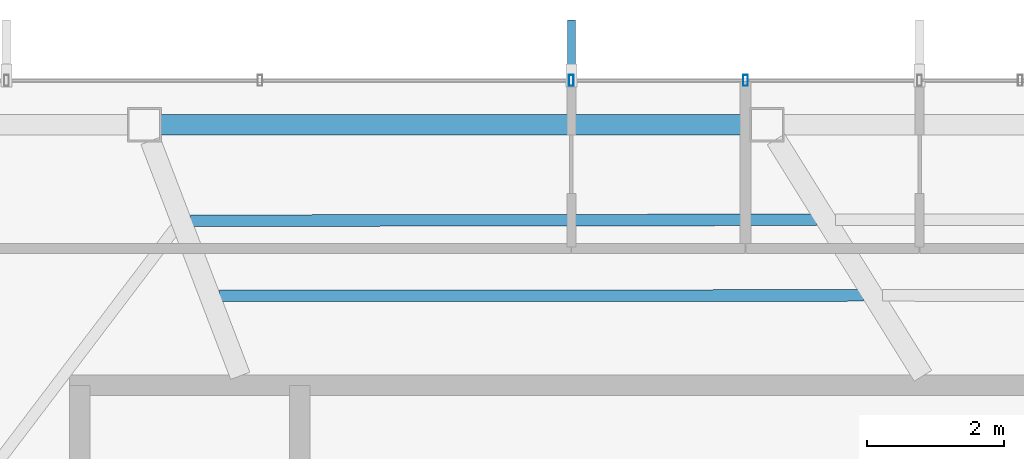
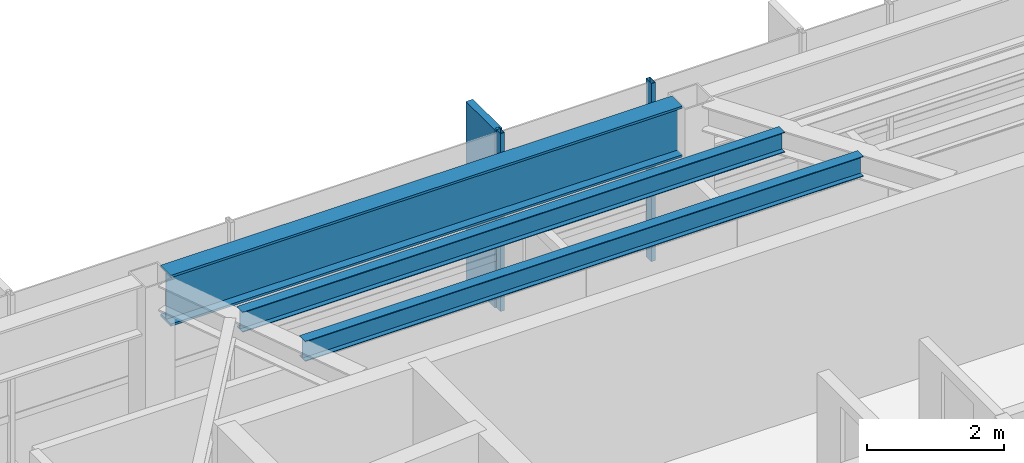
# One storey, part 12 of 25: 3 beams, 3 members, 1 element without a shape of its own.
"""IFC4 building model written with IfcOpenShell, lengths in metres."""

import ifcopenshell
import ifcopenshell.guid

model = None  # the IFC model being written
_history = None  # IfcOwnerHistory: only IFC2X3 demands one
_inside = {}  # id of a spatial element -> (the spatial element, [elements in it])
_under = {}  # id of a project, library or spatial element -> (it, [spatial elements below it])
_declared = {}  # id of a project -> (the project, [libraries it declares])
_typed = {}  # id of a type object -> (the type object, [elements of that type])
_made_of = {}  # id of a material, layer set ... -> (it, [elements and type objects made of it])


def new_model(schema):
    """Start an empty IFC model of exactly this schema.

    Asked for "IFC4X3", IfcOpenShell would pick the latest addendum, in which some entities
    have other attributes; the version numbers below select the first issue.
    IFC2X3 requires an IfcOwnerHistory on every rooted entity: one is made here for all.
    """
    global model, _history
    if schema == "IFC4X3":
        model = ifcopenshell.file(schema_version=(4, 3, 0, 0))
    else:
        model = ifcopenshell.file(schema=schema)
    _inside.clear()
    _under.clear()
    _declared.clear()
    _typed.clear()
    _made_of.clear()
    _history = None
    if model.schema == "IFC2X3":
        org = make("IfcOrganization", Name="unknown")
        user = make(
            "IfcPersonAndOrganization",
            ThePerson=make("IfcPerson", FamilyName="unknown"),
            TheOrganization=org,
        )
        app = make(
            "IfcApplication",
            ApplicationDeveloper=org,
            Version="unknown",
            ApplicationFullName="unknown",
            ApplicationIdentifier="unknown",
        )
        _history = make(
            "IfcOwnerHistory",
            OwningUser=user,
            OwningApplication=app,
            ChangeAction="ADDED",
            CreationDate=0,
        )
    return model


def make(cls, **values):
    """One entity of the class cls with the attributes given. An attribute that is None is left unset."""
    return model.create_entity(
        cls, **{name: value for name, value in values.items() if value is not None}
    )


def rooted(cls, **values):
    """An entity with a GlobalId (a new one), such as an element, a storey or a relation."""
    return make(cls, GlobalId=ifcopenshell.guid.new(), OwnerHistory=_history, **values)


def si_unit(unit_type, name, prefix=None):
    """IfcSIUnit, for example si_unit("LENGTHUNIT", "METRE", prefix="MILLI")."""
    return make("IfcSIUnit", UnitType=unit_type, Prefix=prefix, Name=name)


def assignment(units):
    """IfcUnitAssignment: the units of a project."""
    return None if units is None else make("IfcUnitAssignment", Units=units)


def point(xyz):
    """IfcCartesianPoint."""
    return None if xyz is None else make("IfcCartesianPoint", Coordinates=xyz)


def direction(xyz):
    """IfcDirection."""
    return None if xyz is None else make("IfcDirection", DirectionRatios=xyz)


def frame(location, z_axis=None, x_axis=None):
    """IfcAxis2Placement3D, a coordinate frame: its origin and axes. An axis left out is left unset."""
    return make(
        "IfcAxis2Placement3D",
        Location=point(location),
        Axis=direction(z_axis),
        RefDirection=direction(x_axis),
    )


def frame_2d(location, x_axis=None):
    """IfcAxis2Placement2D, a coordinate frame in the plane: its origin and x axis."""
    return make(
        "IfcAxis2Placement2D", Location=point(location), RefDirection=direction(x_axis)
    )


def origin():
    """The frame at (0, 0, 0) with its axes left unset."""
    return frame((0.0, 0.0, 0.0))


def origin_2d():
    """The frame at (0, 0) in the plane with its x axis left unset."""
    return frame_2d((0.0, 0.0))


def place(relative_to, where):
    """IfcLocalPlacement: puts the frame where relative to a parent placement (None: the world)."""
    return make(
        "IfcLocalPlacement", PlacementRelTo=relative_to, RelativePlacement=where
    )


def context(
    kind, dimensions, precision=None, world=None, true_north=None, identifier=None
):
    """IfcGeometricRepresentationContext, for example the 3D "Model" context."""
    return make(
        "IfcGeometricRepresentationContext",
        ContextIdentifier=identifier,
        ContextType=kind,
        CoordinateSpaceDimension=dimensions,
        Precision=precision,
        WorldCoordinateSystem=world,
        TrueNorth=true_north,
    )


def subcontext(parent, identifier, kind, view, scale=None):
    """IfcGeometricRepresentationSubContext, for example "Body" below "Model"."""
    return make(
        "IfcGeometricRepresentationSubContext",
        ContextIdentifier=identifier,
        ContextType=kind,
        ParentContext=parent,
        TargetScale=scale,
        TargetView=view,
    )


def project(units=None, contexts=None):
    """IfcProject with its units and contexts."""
    return rooted(
        "IfcProject",
        Name="project",
        RepresentationContexts=contexts,
        UnitsInContext=assignment(units),
    )


def spatial(cls, under=None, at=None, **own):
    """A site, building, storey or space (cls), placed at a placement, below another one or the project."""
    s = rooted(cls, ObjectPlacement=at, **own)
    if under is not None:
        _under.setdefault(under.id(), (under, []))[1].append(s)
    return s


def profile(cls, at=None, kind="AREA", **sizes):
    """A parametric profile (cls). Its sizes go by their IFC names, for example OverallWidth=200.0."""
    return make(cls, ProfileType=kind, Position=at, **sizes)


def rectangle(**sizes):
    """IfcRectangleProfileDef."""
    return profile("IfcRectangleProfileDef", **sizes)


def hollow_rectangle(**sizes):
    """IfcRectangleHollowProfileDef."""
    return profile("IfcRectangleHollowProfileDef", **sizes)


def i_section(**sizes):
    """IfcIShapeProfileDef."""
    return profile("IfcIShapeProfileDef", **sizes)


def extrude(swept, where, along, depth):
    """IfcExtrudedAreaSolid: the profile swept, set in the frame where, extruded along a direction by depth."""
    return make(
        "IfcExtrudedAreaSolid",
        SweptArea=swept,
        Position=where,
        ExtrudedDirection=direction(along),
        Depth=depth,
    )


def shape(context_of_items, identifier, shape_type, items):
    """IfcShapeRepresentation: the items that make up one representation, for example the "Body"."""
    return make(
        "IfcShapeRepresentation",
        ContextOfItems=context_of_items,
        RepresentationIdentifier=identifier,
        RepresentationType=shape_type,
        Items=items,
    )


def material(Name=None, Category=None):
    """IfcMaterial."""
    return make("IfcMaterial", Name=Name, Category=Category)


def layer(
    of_material, thickness, ventilated=None, Name=None, Category=None, Priority=None
):
    """IfcMaterialLayer: one layer of a wall or slab, of a material (None: an air gap)."""
    return make(
        "IfcMaterialLayer",
        Material=of_material,
        LayerThickness=thickness,
        IsVentilated=ventilated,
        Name=Name,
        Category=Category,
        Priority=Priority,
    )


def layer_set(layers, Name=None):
    """IfcMaterialLayerSet."""
    return make("IfcMaterialLayerSet", MaterialLayers=layers, LayerSetName=Name)


def material_profile(
    of_material, cross_section, Name=None, Category=None, Priority=None
):
    """IfcMaterialProfile: a cross section and its material."""
    return make(
        "IfcMaterialProfile",
        Name=Name,
        Material=of_material,
        Profile=cross_section,
        Priority=Priority,
        Category=Category,
    )


def profile_set(profiles, Name=None, composite=None):
    """IfcMaterialProfileSet."""
    return make(
        "IfcMaterialProfileSet",
        Name=Name,
        MaterialProfiles=profiles,
        CompositeProfile=composite,
    )


def made_of(thing, what):
    """Note that an element or type object is made of a material, layer set ...; save() writes the relation."""
    if what is not None:
        _made_of.setdefault(what.id(), (what, []))[1].append(thing)
    return thing


def type_object(cls, material=None, **own):
    """A type object (cls), such as IfcWallType, which elements share."""
    return made_of(rooted(cls, **own), material)


def element(
    cls,
    number,
    at=None,
    inside=None,
    cuts=None,
    type_object=None,
    material=None,
    context=None,
    identifier="Body",
    shape_type=None,
    held_by="IfcProductDefinitionShape",
    body=None,
    shapes=None,
    **own,
):
    """One element of the class cls, such as IfcWall. Its Tag is "e" and its number.

    at: its placement. inside: the storey or other place that contains it. cuts: it is an
    opening in that element (IfcRelVoidsElement). A single representation is given by context,
    identifier, shape_type and body (its items); several are given by shapes. held_by: the class
    of the entity that holds the representations. save() writes the other relations.
    """
    e = rooted(cls, Tag="e%d" % number, ObjectPlacement=at, **own)
    if body is not None:
        shapes = [shape(context, identifier, shape_type, body)]
    if shapes is not None:
        e.Representation = make(held_by, Representations=shapes)
    if inside is not None:
        _inside.setdefault(inside.id(), (inside, []))[1].append(e)
    if cuts is not None:
        rooted(
            "IfcRelVoidsElement", RelatingBuildingElement=cuts, RelatedOpeningElement=e
        )
    if type_object is not None:
        _typed.setdefault(type_object.id(), (type_object, []))[1].append(e)
    return made_of(e, material)


def aggregate(whole, parts):
    """IfcRelAggregates: a whole, such as a stair, and the parts it consists of."""
    return rooted("IfcRelAggregates", RelatingObject=whole, RelatedObjects=parts)


def save(model, path):
    """Write the relations noted so far, then the file.

    IfcRelAggregates (storeys below a building ...), IfcRelContainedInSpatialStructure (elements
    in a storey), IfcRelDefinesByType, IfcRelAssociatesMaterial and IfcRelDeclares: one each for
    every whole, place, type object, material and project.
    """
    for whole, parts in _under.values():
        aggregate(whole, parts)
    for where, things in _inside.values():
        rooted(
            "IfcRelContainedInSpatialStructure",
            RelatedElements=things,
            RelatingStructure=where,
        )
    for kind, things in _typed.values():
        rooted("IfcRelDefinesByType", RelatedObjects=things, RelatingType=kind)
    for what, things in _made_of.values():
        rooted("IfcRelAssociatesMaterial", RelatedObjects=things, RelatingMaterial=what)
    for by, libraries in _declared.values():
        rooted("IfcRelDeclares", RelatingContext=by, RelatedDefinitions=libraries)
    model.write(path)


model = new_model("IFC4")

# Units and contexts
model_context = context("Model", 3, precision=1e-05, world=origin(), true_north=direction((0.0, 1.0)))
body_context = subcontext(model_context, "Body", "Model", "MODEL_VIEW")
ifc_project = project(units=[si_unit("LENGTHUNIT", "METRE"), si_unit("AREAUNIT", "SQUARE_METRE"), si_unit("VOLUMEUNIT", "CUBIC_METRE"), si_unit("PLANEANGLEUNIT", "RADIAN"), si_unit("MASSUNIT", "GRAM", prefix="KILO")], contexts=[model_context])

# Site, building, storey
site_placement = place(None, origin())
site = spatial("IfcSite", under=ifc_project, at=site_placement, CompositionType="ELEMENT")
building_placement = place(site_placement, origin())
building = spatial("IfcBuilding", under=site, at=building_placement, Name="Zarrinselat Tower", CompositionType="ELEMENT")
storey_placement = place(building_placement, frame((0.0, 0.0, 261.800048828125)))
storey = spatial("IfcBuildingStorey", under=building, at=storey_placement, Name="L66", CompositionType="ELEMENT", Elevation=261.800048828125)

# Beams
ifc_material_1 = material(Name="Steel S460M", Category="steel")
ifc_material_profile_1 = material_profile(ifc_material_1, i_section(OverallWidth=0.302001953125, OverallDepth=0.909912109375, WebThickness=0.02099609375, FlangeThickness=0.0400390625, at=origin_2d()), Name="HEM 900")
ifc_profile_set_1 = profile_set([ifc_material_profile_1], Name="Steel S460M")
beam_type_1 = type_object("IfcBeamType", Name="BM-HEM900", PredefinedType="BEAM", material=ifc_profile_set_1)
beam_1_placement = place(storey_placement, frame((29.8330078125, 47.216796875, 2.724853515625), z_axis=(1.0, 0.0, 0.0), x_axis=(0.0, 1.0, 0.0)))
element("IfcBeam", 1, at=beam_1_placement, inside=storey, type_object=beam_type_1, Name="L66 Perimeter Spandrel Girder SP03", PredefinedType="BEAM", context=body_context, shape_type="SweptSolid", body=[
    extrude(i_section(OverallWidth=0.302001953125, OverallDepth=0.909912109375, WebThickness=0.02099609375, FlangeThickness=0.0400390625, at=origin_2d()), origin(), (0.0, 0.0, 1.0), 8.642822265625),
])
ifc_material_2 = material(Name="Steel S355J2", Category="steel")
ifc_material_profile_2 = material_profile(ifc_material_2, i_section(OverallWidth=0.169921875, OverallDepth=0.360107421875, WebThickness=0.008056640625, FlangeThickness=0.0126953125, at=origin_2d()), Name="IPE 360")
ifc_profile_set_2 = profile_set([ifc_material_profile_2], Name="Steel S355J2")
beam_type_2 = type_object("IfcBeamType", Name="BM-IPE360", PredefinedType="JOIST", material=ifc_profile_set_2)
beam_2_placement = place(storey_placement, frame((30.272216796875, 45.8115234375, 3.0), z_axis=(0.999998887769, 0.001491462373, 0.0), x_axis=(-0.001491462373, 0.999998887769, 0.0)))
element("IfcBeam", 2, at=beam_2_placement, inside=storey, type_object=beam_type_2, Name="L66 Composite Floor Joist 8-1", PredefinedType="JOIST", context=body_context, shape_type="SweptSolid", body=[
    extrude(i_section(OverallWidth=0.169921875, OverallDepth=0.360107421875, WebThickness=0.008056640625, FlangeThickness=0.0126953125, at=origin_2d()), origin(), (0.0, 0.0, 1.0), 9.166748046875),
])
beam_3_placement = place(storey_placement, frame((30.69287109375, 44.710205078125, 3.0), z_axis=(0.999999718449, 0.000750400865, 0.0), x_axis=(-0.000750400865, 0.999999718449, 0.0)))
element("IfcBeam", 3, at=beam_3_placement, inside=storey, type_object=beam_type_2, Name="L66 Composite Floor Joist 8-2", PredefinedType="JOIST", context=body_context, shape_type="SweptSolid", body=[
    extrude(i_section(OverallWidth=0.169921875, OverallDepth=0.360107421875, WebThickness=0.008056640625, FlangeThickness=0.0126953125, at=origin_2d()), origin(), (0.0, 0.0, 1.0), 9.43505859375),
])

# Curtain wall, members
ifc_material_3 = material(Name="Extruded Aluminium Alloy EN AW-6063 T6", Category="aluminium")
ifc_layer = layer(ifc_material_3, 0.169921875)
ifc_layer_set = layer_set([ifc_layer], Name="Extruded Aluminium Alloy EN AW-6063 T6")
curtain_wall_type = type_object("IfcCurtainWallType", Name="CWS-RES", PredefinedType="NOTDEFINED", material=ifc_layer_set)
curtain_wall_placement = place(storey_placement, origin())
curtain_wall = element("IfcCurtainWall", 4, at=curtain_wall_placement, inside=storey, type_object=curtain_wall_type, Name="L66 Unitised Curtain Wall CW-L66-E01", PredefinedType="NOTDEFINED")
ifc_material_4 = material(Name="Extruded Aluminium Alloy EN AW-6063 T6", Category="aluminium")
ifc_material_profile_3 = material_profile(ifc_material_4, hollow_rectangle(XDim=0.070068359375, YDim=0.159912109375, WallThickness=0.00390625, at=origin_2d()), Name="RHS 160x70x4")
ifc_profile_set_3 = profile_set([ifc_material_profile_3], Name="Extruded Aluminium Alloy EN AW-6063 T6")
member_type_1 = type_object("IfcMemberType", Name="MEM-CW-MUL2", PredefinedType="MULLION", material=ifc_profile_set_3)
member_1_placement = place(storey_placement, frame((38.39990234375, 47.86669921875, 0.0), z_axis=(0.0, 0.0, 1.0), x_axis=(-1.0, 0.0, 0.0)))
member_1 = element("IfcMember", 5, at=member_1_placement, type_object=member_type_1, Name="CW-L66-E01 Mullion 6", PredefinedType="MULLION", context=body_context, shape_type="SweptSolid", body=[
    extrude(hollow_rectangle(XDim=0.070068359375, YDim=0.159912109375, WallThickness=0.00390625, at=origin_2d()), origin(), (0.0, 0.0, 1.0), 3.179931640625),
])
member_2_placement = place(storey_placement, frame((35.85009765625, 47.86669921875, 0.0), z_axis=(0.0, 0.0, 1.0), x_axis=(-1.0, 0.0, 0.0)))
member_2 = element("IfcMember", 6, at=member_2_placement, type_object=member_type_1, Name="CW-L66-E01 Mullion 7", PredefinedType="MULLION", context=body_context, shape_type="SweptSolid", body=[
    extrude(hollow_rectangle(XDim=0.070068359375, YDim=0.159912109375, WallThickness=0.00390625, at=origin_2d()), origin(), (0.0, 0.0, 1.0), 3.179931640625),
])
ifc_material_5 = material(Name="Honed Cream Travertine Stone", Category="masonry")
ifc_material_profile_4 = material_profile(ifc_material_5, rectangle(XDim=0.1201171875, YDim=0.85009765625, at=origin_2d()), Name="FIN 850x120")
ifc_profile_set_4 = profile_set([ifc_material_profile_4], Name="Honed Cream Travertine Stone")
member_type_2 = type_object("IfcMemberType", Name="MEM-STONE-FIN", PredefinedType="USERDEFINED", material=ifc_profile_set_4)
member_3_placement = place(storey_placement, frame((35.85009765625, 48.32666015625, 0.0), z_axis=(0.0, 0.0, 1.0), x_axis=(1.0, 0.0, 0.0)))
member_3 = element("IfcMember", 7, at=member_3_placement, type_object=member_type_2, Name="L66 Stone Shading Fin CW-L66-E01-07", ObjectType="FIN", PredefinedType="USERDEFINED", context=body_context, shape_type="SweptSolid", body=[
    extrude(rectangle(XDim=0.1201171875, YDim=0.85009765625, at=origin_2d()), origin(), (0.0, 0.0, 1.0), 3.179931640625),
])
aggregate(curtain_wall, [member_1, member_2, member_3])

save(model, "model.ifc")
